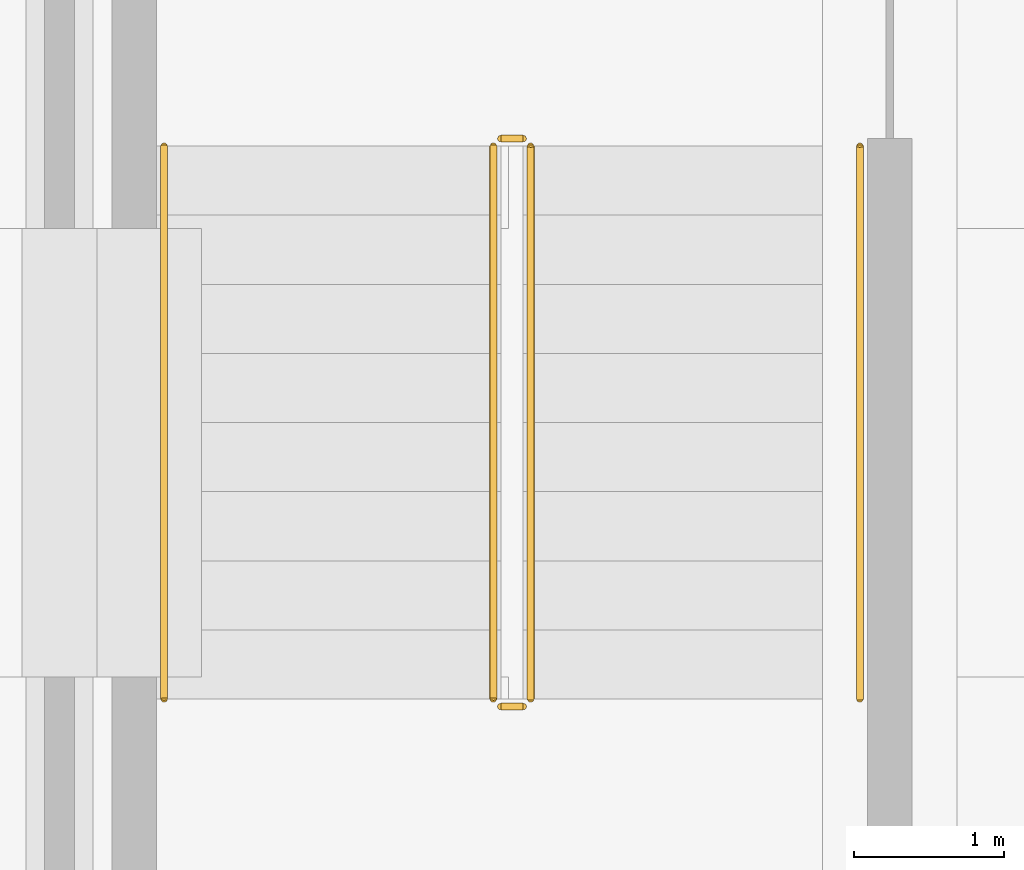
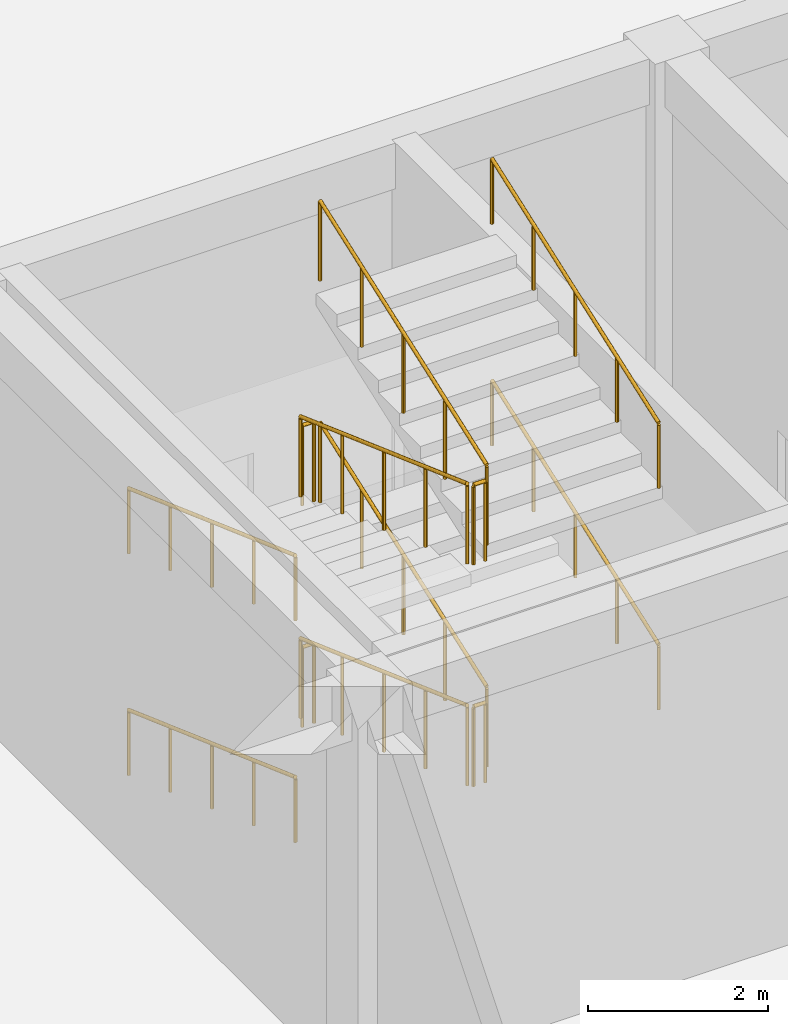
# One storey, part 41 of 44: 12 railings.
"""IFC4 building model written with IfcOpenShell, lengths in metres."""

from ifc_helpers import new_model, si_unit, direction, frame, origin, origin_2d, place, context, subcontext, project, spatial, circle, extrude, material, type_object, element, save


model = new_model("IFC4")

# Units and contexts
model_context = context("Model", 3, precision=1e-05, world=origin(), true_north=direction((0.0, 1.0)))
body_context = subcontext(model_context, "Body", "Model", "MODEL_VIEW")
ifc_project = project(units=[si_unit("LENGTHUNIT", "METRE"), si_unit("AREAUNIT", "SQUARE_METRE"), si_unit("VOLUMEUNIT", "CUBIC_METRE"), si_unit("PLANEANGLEUNIT", "RADIAN"), si_unit("MASSUNIT", "GRAM", prefix="KILO")], contexts=[model_context])

# Site, building, storey
site_placement = place(None, origin())
site = spatial("IfcSite", under=ifc_project, at=site_placement, CompositionType="ELEMENT")
building_placement = place(site_placement, origin())
building = spatial("IfcBuilding", under=site, at=building_placement, Name="Dhurran Vertical Campus", CompositionType="ELEMENT")
storey_placement = place(building_placement, origin())
storey = spatial("IfcBuildingStorey", under=building, at=storey_placement, Name="L00", CompositionType="ELEMENT", Elevation=0.0)

# Railings
ifc_material_1 = material(Name="Steel S355J2H", Category="steel")
railing_type_1 = type_object("IfcRailingType", Name="hl-stair guard 1100", PredefinedType="GUARDRAIL", material=ifc_material_1)
railing_1_placement = place(storey_placement, frame((73.39990234375, 24.550048828125, 0.166748046875)))
element("IfcRailing", 1, at=railing_1_placement, inside=storey, type_object=railing_type_1, Name="L00 HST3 stair guard 1", PredefinedType="GUARDRAIL", context=body_context, shape_type="SweptSolid", body=[
    extrude(circle(Radius=0.02392578125, at=origin_2d()), frame((0.0, 0.0, 1.076171875), z_axis=(0.0, -0.94067018433, 0.339322272054), x_axis=(1.0, 0.0, 0.0)), (0.0, 0.0, 1.0), 3.92919921875),
    extrude(circle(Radius=0.02099609375, at=origin_2d()), origin(), (0.0, 0.0, 1.0), 1.052001953125),
    extrude(circle(Radius=0.02099609375, at=origin_2d()), frame((0.0, -0.924072265625, 0.333251953125)), (0.0, 0.0, 1.0), 1.052001953125),
    extrude(circle(Radius=0.02099609375, at=origin_2d()), frame((0.0, -1.84814453125, 0.66650390625)), (0.0, 0.0, 1.0), 1.052001953125),
    extrude(circle(Radius=0.02099609375, at=origin_2d()), frame((0.0, -2.77197265625, 1.0)), (0.0, 0.0, 1.0), 1.052001953125),
    extrude(circle(Radius=0.02099609375, at=origin_2d()), frame((0.0, -3.696044921875, 1.333251953125)), (0.0, 0.0, 1.0), 1.052001953125),
])
railing_2_placement = place(storey_placement, frame((73.449951171875, 20.803955078125, 1.5)))
element("IfcRailing", 2, at=railing_2_placement, inside=storey, type_object=railing_type_1, Name="L00 HST3 stair guard 2", PredefinedType="GUARDRAIL", context=body_context, shape_type="SweptSolid", body=[
    extrude(circle(Radius=0.02392578125, at=origin_2d()), frame((0.0, 0.0, 1.076171875), z_axis=(1.0, 0.0, 0.0), x_axis=(0.0, 1.0, 0.0)), (0.0, 0.0, 1.0), 0.150146484375),
    extrude(circle(Radius=0.02099609375, at=origin_2d()), origin(), (0.0, 0.0, 1.0), 1.052001953125),
    extrude(circle(Radius=0.02099609375, at=origin_2d()), frame((0.150146484375, 0.0, 0.0)), (0.0, 0.0, 1.0), 1.052001953125),
])
railing_3_placement = place(storey_placement, frame((73.64990234375, 20.85400390625, 1.666748046875)))
element("IfcRailing", 3, at=railing_3_placement, inside=storey, type_object=railing_type_1, Name="L00 HST3 stair guard 3", PredefinedType="GUARDRAIL", context=body_context, shape_type="SweptSolid", body=[
    extrude(circle(Radius=0.02392578125, at=origin_2d()), frame((0.0, 0.0, 1.076171875), z_axis=(0.0, 0.94067018433, 0.339322272054), x_axis=(-1.0, 0.0, 0.0)), (0.0, 0.0, 1.0), 3.92919921875),
    extrude(circle(Radius=0.02099609375, at=origin_2d()), origin(), (0.0, 0.0, 1.0), 1.052001953125),
    extrude(circle(Radius=0.02099609375, at=origin_2d()), frame((0.0, 0.924072265625, 0.333251953125)), (0.0, 0.0, 1.0), 1.052001953125),
    extrude(circle(Radius=0.02099609375, at=origin_2d()), frame((0.0, 1.84814453125, 0.66650390625)), (0.0, 0.0, 1.0), 1.052001953125),
    extrude(circle(Radius=0.02099609375, at=origin_2d()), frame((0.0, 2.77197265625, 1.0)), (0.0, 0.0, 1.0), 1.052001953125),
    extrude(circle(Radius=0.02099609375, at=origin_2d()), frame((0.0, 3.696044921875, 1.333251953125)), (0.0, 0.0, 1.0), 1.052001953125),
])
railing_4_placement = place(storey_placement, frame((73.449951171875, 24.60009765625, 3.0)))
element("IfcRailing", 4, at=railing_4_placement, inside=storey, type_object=railing_type_1, Name="L00 HST3 stair guard 4", PredefinedType="GUARDRAIL", context=body_context, shape_type="SweptSolid", body=[
    extrude(circle(Radius=0.02392578125, at=origin_2d()), frame((0.0, 0.0, 1.076171875), z_axis=(1.0, 0.0, 0.0), x_axis=(0.0, 1.0, 0.0)), (0.0, 0.0, 1.0), 0.150146484375),
    extrude(circle(Radius=0.02099609375, at=origin_2d()), origin(), (0.0, 0.0, 1.0), 1.052001953125),
    extrude(circle(Radius=0.02099609375, at=origin_2d()), frame((0.150146484375, 0.0, 0.0)), (0.0, 0.0, 1.0), 1.052001953125),
])
railing_5_placement = place(storey_placement, frame((73.39990234375, 24.550048828125, 3.166748046875)))
element("IfcRailing", 5, at=railing_5_placement, inside=storey, type_object=railing_type_1, Name="L00 HST3 stair guard 5", PredefinedType="GUARDRAIL", context=body_context, shape_type="SweptSolid", body=[
    extrude(circle(Radius=0.02392578125, at=origin_2d()), frame((0.0, 0.0, 1.076171875), z_axis=(0.0, -0.94067018433, 0.339322272054), x_axis=(1.0, 0.0, 0.0)), (0.0, 0.0, 1.0), 3.92919921875),
    extrude(circle(Radius=0.02099609375, at=origin_2d()), origin(), (0.0, 0.0, 1.0), 1.052001953125),
    extrude(circle(Radius=0.02099609375, at=origin_2d()), frame((0.0, -0.924072265625, 0.333251953125)), (0.0, 0.0, 1.0), 1.052001953125),
    extrude(circle(Radius=0.02099609375, at=origin_2d()), frame((0.0, -1.84814453125, 0.66650390625)), (0.0, 0.0, 1.0), 1.052001953125),
    extrude(circle(Radius=0.02099609375, at=origin_2d()), frame((0.0, -2.77197265625, 1.0)), (0.0, 0.0, 1.0), 1.052001953125),
    extrude(circle(Radius=0.02099609375, at=origin_2d()), frame((0.0, -3.696044921875, 1.333251953125)), (0.0, 0.0, 1.0), 1.052001953125),
])
railing_6_placement = place(storey_placement, frame((73.449951171875, 20.803955078125, 4.5)))
element("IfcRailing", 6, at=railing_6_placement, inside=storey, type_object=railing_type_1, Name="L00 HST3 stair guard 6", PredefinedType="GUARDRAIL", context=body_context, shape_type="SweptSolid", body=[
    extrude(circle(Radius=0.02392578125, at=origin_2d()), frame((0.0, 0.0, 1.076171875), z_axis=(1.0, 0.0, 0.0), x_axis=(0.0, 1.0, 0.0)), (0.0, 0.0, 1.0), 0.150146484375),
    extrude(circle(Radius=0.02099609375, at=origin_2d()), origin(), (0.0, 0.0, 1.0), 1.052001953125),
    extrude(circle(Radius=0.02099609375, at=origin_2d()), frame((0.150146484375, 0.0, 0.0)), (0.0, 0.0, 1.0), 1.052001953125),
])
railing_7_placement = place(storey_placement, frame((73.64990234375, 20.85400390625, 4.666748046875)))
element("IfcRailing", 7, at=railing_7_placement, inside=storey, type_object=railing_type_1, Name="L00 HST3 stair guard 7", PredefinedType="GUARDRAIL", context=body_context, shape_type="SweptSolid", body=[
    extrude(circle(Radius=0.02392578125, at=origin_2d()), frame((0.0, 0.0, 1.076171875), z_axis=(0.0, 0.94067018433, 0.339322272054), x_axis=(-1.0, 0.0, 0.0)), (0.0, 0.0, 1.0), 3.92919921875),
    extrude(circle(Radius=0.02099609375, at=origin_2d()), origin(), (0.0, 0.0, 1.0), 1.052001953125),
    extrude(circle(Radius=0.02099609375, at=origin_2d()), frame((0.0, 0.924072265625, 0.333251953125)), (0.0, 0.0, 1.0), 1.052001953125),
    extrude(circle(Radius=0.02099609375, at=origin_2d()), frame((0.0, 1.84814453125, 0.66650390625)), (0.0, 0.0, 1.0), 1.052001953125),
    extrude(circle(Radius=0.02099609375, at=origin_2d()), frame((0.0, 2.77197265625, 1.0)), (0.0, 0.0, 1.0), 1.052001953125),
    extrude(circle(Radius=0.02099609375, at=origin_2d()), frame((0.0, 3.696044921875, 1.333251953125)), (0.0, 0.0, 1.0), 1.052001953125),
])
railing_8_placement = place(storey_placement, frame((73.449951171875, 24.60009765625, 0.0)))
element("IfcRailing", 8, at=railing_8_placement, inside=storey, type_object=railing_type_1, Name="L00 HST3 stair guard 8", PredefinedType="GUARDRAIL", context=body_context, shape_type="SweptSolid", body=[
    extrude(circle(Radius=0.02392578125, at=origin_2d()), frame((0.0, 0.0, 1.076171875), z_axis=(1.0, 0.0, 0.0), x_axis=(0.0, 1.0, 0.0)), (0.0, 0.0, 1.0), 0.150146484375),
    extrude(circle(Radius=0.02099609375, at=origin_2d()), origin(), (0.0, 0.0, 1.0), 1.052001953125),
    extrude(circle(Radius=0.02099609375, at=origin_2d()), frame((0.150146484375, 0.0, 0.0)), (0.0, 0.0, 1.0), 1.052001953125),
])
ifc_material_2 = material(Name="Steel S355J2H", Category="steel")
railing_type_2 = type_object("IfcRailingType", Name="hl-stair handrail", PredefinedType="HANDRAIL", material=ifc_material_2)
railing_9_placement = place(storey_placement, frame((71.199951171875, 24.550048828125, 0.166748046875)))
element("IfcRailing", 9, at=railing_9_placement, inside=storey, type_object=railing_type_2, Name="L00 HST3 stair handrail 1", PredefinedType="HANDRAIL", context=body_context, shape_type="SweptSolid", body=[
    extrude(circle(Radius=0.02392578125, at=origin_2d()), frame((0.0, 0.0, 0.8759765625), z_axis=(0.0, -0.94067018433, 0.339322272054), x_axis=(1.0, 0.0, 0.0)), (0.0, 0.0, 1.0), 3.92919921875),
    extrude(circle(Radius=0.02099609375, at=origin_2d()), origin(), (0.0, 0.0, 1.0), 0.851806640625),
    extrude(circle(Radius=0.02099609375, at=origin_2d()), frame((0.0, -0.924072265625, 0.333251953125)), (0.0, 0.0, 1.0), 0.851806640625),
    extrude(circle(Radius=0.02099609375, at=origin_2d()), frame((0.0, -1.84814453125, 0.66650390625)), (0.0, 0.0, 1.0), 0.851806640625),
    extrude(circle(Radius=0.02099609375, at=origin_2d()), frame((0.0, -2.77197265625, 1.0)), (0.0, 0.0, 1.0), 0.851806640625),
    extrude(circle(Radius=0.02099609375, at=origin_2d()), frame((0.0, -3.696044921875, 1.333251953125)), (0.0, 0.0, 1.0), 0.851806640625),
])
railing_10_placement = place(storey_placement, frame((75.85009765625, 20.85400390625, 1.666748046875)))
element("IfcRailing", 10, at=railing_10_placement, inside=storey, type_object=railing_type_2, Name="L00 HST3 stair handrail 2", PredefinedType="HANDRAIL", context=body_context, shape_type="SweptSolid", body=[
    extrude(circle(Radius=0.02392578125, at=origin_2d()), frame((0.0, 0.0, 0.8759765625), z_axis=(0.0, 0.94067018433, 0.339322272054), x_axis=(-1.0, 0.0, 0.0)), (0.0, 0.0, 1.0), 3.92919921875),
    extrude(circle(Radius=0.02099609375, at=origin_2d()), origin(), (0.0, 0.0, 1.0), 0.851806640625),
    extrude(circle(Radius=0.02099609375, at=origin_2d()), frame((0.0, 0.924072265625, 0.333251953125)), (0.0, 0.0, 1.0), 0.851806640625),
    extrude(circle(Radius=0.02099609375, at=origin_2d()), frame((0.0, 1.84814453125, 0.66650390625)), (0.0, 0.0, 1.0), 0.851806640625),
    extrude(circle(Radius=0.02099609375, at=origin_2d()), frame((0.0, 2.77197265625, 1.0)), (0.0, 0.0, 1.0), 0.851806640625),
    extrude(circle(Radius=0.02099609375, at=origin_2d()), frame((0.0, 3.696044921875, 1.333251953125)), (0.0, 0.0, 1.0), 0.851806640625),
])
railing_11_placement = place(storey_placement, frame((71.199951171875, 24.550048828125, 3.166748046875)))
element("IfcRailing", 11, at=railing_11_placement, inside=storey, type_object=railing_type_2, Name="L00 HST3 stair handrail 3", PredefinedType="HANDRAIL", context=body_context, shape_type="SweptSolid", body=[
    extrude(circle(Radius=0.02392578125, at=origin_2d()), frame((0.0, 0.0, 0.8759765625), z_axis=(0.0, -0.94067018433, 0.339322272054), x_axis=(1.0, 0.0, 0.0)), (0.0, 0.0, 1.0), 3.92919921875),
    extrude(circle(Radius=0.02099609375, at=origin_2d()), origin(), (0.0, 0.0, 1.0), 0.851806640625),
    extrude(circle(Radius=0.02099609375, at=origin_2d()), frame((0.0, -0.924072265625, 0.333251953125)), (0.0, 0.0, 1.0), 0.851806640625),
    extrude(circle(Radius=0.02099609375, at=origin_2d()), frame((0.0, -1.84814453125, 0.66650390625)), (0.0, 0.0, 1.0), 0.851806640625),
    extrude(circle(Radius=0.02099609375, at=origin_2d()), frame((0.0, -2.77197265625, 1.0)), (0.0, 0.0, 1.0), 0.851806640625),
    extrude(circle(Radius=0.02099609375, at=origin_2d()), frame((0.0, -3.696044921875, 1.333251953125)), (0.0, 0.0, 1.0), 0.851806640625),
])
railing_12_placement = place(storey_placement, frame((75.85009765625, 20.85400390625, 4.666748046875)))
element("IfcRailing", 12, at=railing_12_placement, inside=storey, type_object=railing_type_2, Name="L00 HST3 stair handrail 4", PredefinedType="HANDRAIL", context=body_context, shape_type="SweptSolid", body=[
    extrude(circle(Radius=0.02392578125, at=origin_2d()), frame((0.0, 0.0, 0.8759765625), z_axis=(0.0, 0.94067018433, 0.339322272054), x_axis=(-1.0, 0.0, 0.0)), (0.0, 0.0, 1.0), 3.92919921875),
    extrude(circle(Radius=0.02099609375, at=origin_2d()), origin(), (0.0, 0.0, 1.0), 0.851806640625),
    extrude(circle(Radius=0.02099609375, at=origin_2d()), frame((0.0, 0.924072265625, 0.333251953125)), (0.0, 0.0, 1.0), 0.851806640625),
    extrude(circle(Radius=0.02099609375, at=origin_2d()), frame((0.0, 1.84814453125, 0.66650390625)), (0.0, 0.0, 1.0), 0.851806640625),
    extrude(circle(Radius=0.02099609375, at=origin_2d()), frame((0.0, 2.77197265625, 1.0)), (0.0, 0.0, 1.0), 0.851806640625),
    extrude(circle(Radius=0.02099609375, at=origin_2d()), frame((0.0, 3.696044921875, 1.333251953125)), (0.0, 0.0, 1.0), 0.851806640625),
])

save(model, "model.ifc")
